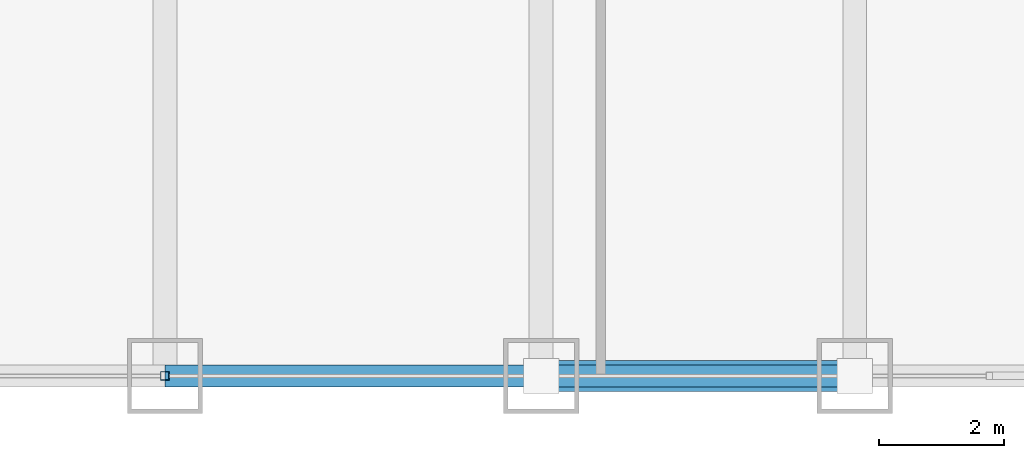
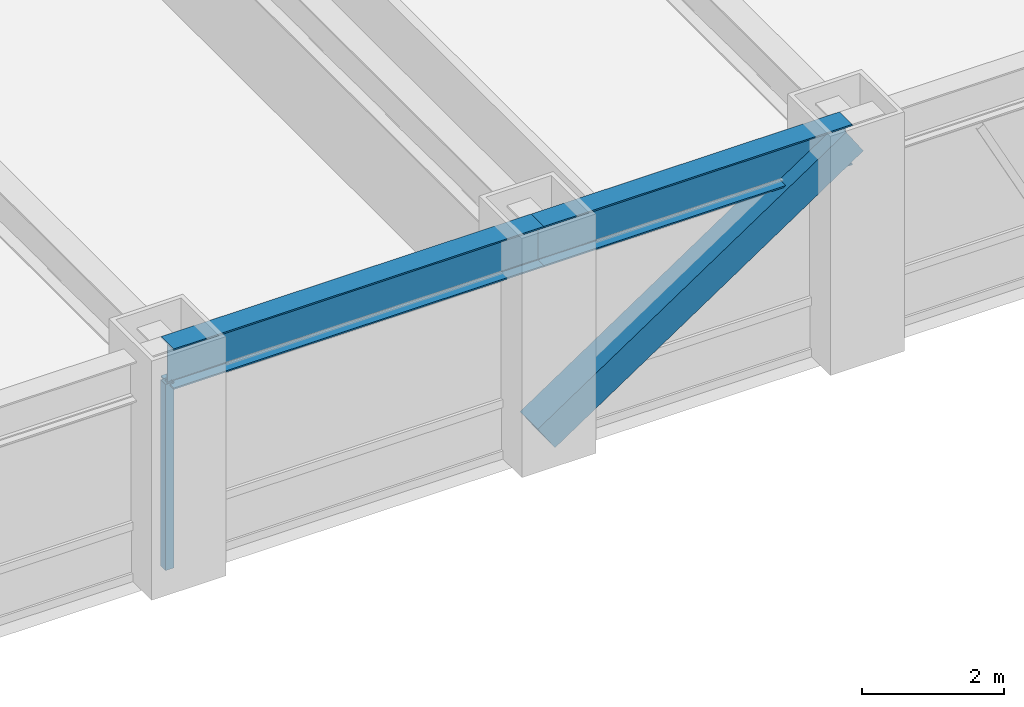
# One storey, part 4 of 27: 2 beams, 2 members, 1 element without a shape of its own.
"""IFC4 building model written with IfcOpenShell, lengths in metres."""

import ifcopenshell
import ifcopenshell.guid

model = None  # the IFC model being written
_history = None  # IfcOwnerHistory: only IFC2X3 demands one
_inside = {}  # id of a spatial element -> (the spatial element, [elements in it])
_under = {}  # id of a project, library or spatial element -> (it, [spatial elements below it])
_declared = {}  # id of a project -> (the project, [libraries it declares])
_typed = {}  # id of a type object -> (the type object, [elements of that type])
_made_of = {}  # id of a material, layer set ... -> (it, [elements and type objects made of it])


def new_model(schema):
    """Start an empty IFC model of exactly this schema.

    Asked for "IFC4X3", IfcOpenShell would pick the latest addendum, in which some entities
    have other attributes; the version numbers below select the first issue.
    IFC2X3 requires an IfcOwnerHistory on every rooted entity: one is made here for all.
    """
    global model, _history
    if schema == "IFC4X3":
        model = ifcopenshell.file(schema_version=(4, 3, 0, 0))
    else:
        model = ifcopenshell.file(schema=schema)
    _inside.clear()
    _under.clear()
    _declared.clear()
    _typed.clear()
    _made_of.clear()
    _history = None
    if model.schema == "IFC2X3":
        org = make("IfcOrganization", Name="unknown")
        user = make(
            "IfcPersonAndOrganization",
            ThePerson=make("IfcPerson", FamilyName="unknown"),
            TheOrganization=org,
        )
        app = make(
            "IfcApplication",
            ApplicationDeveloper=org,
            Version="unknown",
            ApplicationFullName="unknown",
            ApplicationIdentifier="unknown",
        )
        _history = make(
            "IfcOwnerHistory",
            OwningUser=user,
            OwningApplication=app,
            ChangeAction="ADDED",
            CreationDate=0,
        )
    return model


def make(cls, **values):
    """One entity of the class cls with the attributes given. An attribute that is None is left unset."""
    return model.create_entity(
        cls, **{name: value for name, value in values.items() if value is not None}
    )


def rooted(cls, **values):
    """An entity with a GlobalId (a new one), such as an element, a storey or a relation."""
    return make(cls, GlobalId=ifcopenshell.guid.new(), OwnerHistory=_history, **values)


def si_unit(unit_type, name, prefix=None):
    """IfcSIUnit, for example si_unit("LENGTHUNIT", "METRE", prefix="MILLI")."""
    return make("IfcSIUnit", UnitType=unit_type, Prefix=prefix, Name=name)


def assignment(units):
    """IfcUnitAssignment: the units of a project."""
    return None if units is None else make("IfcUnitAssignment", Units=units)


def point(xyz):
    """IfcCartesianPoint."""
    return None if xyz is None else make("IfcCartesianPoint", Coordinates=xyz)


def direction(xyz):
    """IfcDirection."""
    return None if xyz is None else make("IfcDirection", DirectionRatios=xyz)


def frame(location, z_axis=None, x_axis=None):
    """IfcAxis2Placement3D, a coordinate frame: its origin and axes. An axis left out is left unset."""
    return make(
        "IfcAxis2Placement3D",
        Location=point(location),
        Axis=direction(z_axis),
        RefDirection=direction(x_axis),
    )


def frame_2d(location, x_axis=None):
    """IfcAxis2Placement2D, a coordinate frame in the plane: its origin and x axis."""
    return make(
        "IfcAxis2Placement2D", Location=point(location), RefDirection=direction(x_axis)
    )


def origin():
    """The frame at (0, 0, 0) with its axes left unset."""
    return frame((0.0, 0.0, 0.0))


def origin_2d():
    """The frame at (0, 0) in the plane with its x axis left unset."""
    return frame_2d((0.0, 0.0))


def place(relative_to, where):
    """IfcLocalPlacement: puts the frame where relative to a parent placement (None: the world)."""
    return make(
        "IfcLocalPlacement", PlacementRelTo=relative_to, RelativePlacement=where
    )


def context(
    kind, dimensions, precision=None, world=None, true_north=None, identifier=None
):
    """IfcGeometricRepresentationContext, for example the 3D "Model" context."""
    return make(
        "IfcGeometricRepresentationContext",
        ContextIdentifier=identifier,
        ContextType=kind,
        CoordinateSpaceDimension=dimensions,
        Precision=precision,
        WorldCoordinateSystem=world,
        TrueNorth=true_north,
    )


def subcontext(parent, identifier, kind, view, scale=None):
    """IfcGeometricRepresentationSubContext, for example "Body" below "Model"."""
    return make(
        "IfcGeometricRepresentationSubContext",
        ContextIdentifier=identifier,
        ContextType=kind,
        ParentContext=parent,
        TargetScale=scale,
        TargetView=view,
    )


def project(units=None, contexts=None):
    """IfcProject with its units and contexts."""
    return rooted(
        "IfcProject",
        Name="project",
        RepresentationContexts=contexts,
        UnitsInContext=assignment(units),
    )


def spatial(cls, under=None, at=None, **own):
    """A site, building, storey or space (cls), placed at a placement, below another one or the project."""
    s = rooted(cls, ObjectPlacement=at, **own)
    if under is not None:
        _under.setdefault(under.id(), (under, []))[1].append(s)
    return s


def profile(cls, at=None, kind="AREA", **sizes):
    """A parametric profile (cls). Its sizes go by their IFC names, for example OverallWidth=200.0."""
    return make(cls, ProfileType=kind, Position=at, **sizes)


def hollow_rectangle(**sizes):
    """IfcRectangleHollowProfileDef."""
    return profile("IfcRectangleHollowProfileDef", **sizes)


def i_section(**sizes):
    """IfcIShapeProfileDef."""
    return profile("IfcIShapeProfileDef", **sizes)


def extrude(swept, where, along, depth):
    """IfcExtrudedAreaSolid: the profile swept, set in the frame where, extruded along a direction by depth."""
    return make(
        "IfcExtrudedAreaSolid",
        SweptArea=swept,
        Position=where,
        ExtrudedDirection=direction(along),
        Depth=depth,
    )


def shape(context_of_items, identifier, shape_type, items):
    """IfcShapeRepresentation: the items that make up one representation, for example the "Body"."""
    return make(
        "IfcShapeRepresentation",
        ContextOfItems=context_of_items,
        RepresentationIdentifier=identifier,
        RepresentationType=shape_type,
        Items=items,
    )


def source(mapping_origin, context_of_items, identifier, shape_type, items):
    """IfcRepresentationMap: a shape defined once, which mapped items show again and again."""
    return make(
        "IfcRepresentationMap",
        MappingOrigin=mapping_origin,
        MappedRepresentation=shape(context_of_items, identifier, shape_type, items),
    )


def transform(
    local_origin,
    x_axis=None,
    y_axis=None,
    z_axis=None,
    scale=None,
    scale2=None,
    scale3=None,
    uniform=True,
):
    """IfcCartesianTransformationOperator3D, or its non-uniform kind. x_axis, y_axis, z_axis: its Axis1, 2, 3."""
    if uniform:
        return make(
            "IfcCartesianTransformationOperator3D",
            Axis1=direction(x_axis),
            Axis2=direction(y_axis),
            LocalOrigin=point(local_origin),
            Scale=scale,
            Axis3=direction(z_axis),
        )
    return make(
        "IfcCartesianTransformationOperator3DnonUniform",
        Axis1=direction(x_axis),
        Axis2=direction(y_axis),
        LocalOrigin=point(local_origin),
        Scale=scale,
        Axis3=direction(z_axis),
        Scale2=scale2,
        Scale3=scale3,
    )


def mapped(mapping_source, mapping_target):
    """IfcMappedItem: shows the shape of a source again, moved by a transform."""
    return make(
        "IfcMappedItem", MappingSource=mapping_source, MappingTarget=mapping_target
    )


def material(Name=None, Category=None):
    """IfcMaterial."""
    return make("IfcMaterial", Name=Name, Category=Category)


def material_profile(
    of_material, cross_section, Name=None, Category=None, Priority=None
):
    """IfcMaterialProfile: a cross section and its material."""
    return make(
        "IfcMaterialProfile",
        Name=Name,
        Material=of_material,
        Profile=cross_section,
        Priority=Priority,
        Category=Category,
    )


def profile_set(profiles, Name=None, composite=None):
    """IfcMaterialProfileSet."""
    return make(
        "IfcMaterialProfileSet",
        Name=Name,
        MaterialProfiles=profiles,
        CompositeProfile=composite,
    )


def made_of(thing, what):
    """Note that an element or type object is made of a material, layer set ...; save() writes the relation."""
    if what is not None:
        _made_of.setdefault(what.id(), (what, []))[1].append(thing)
    return thing


def type_object(cls, material=None, **own):
    """A type object (cls), such as IfcWallType, which elements share."""
    return made_of(rooted(cls, **own), material)


def element(
    cls,
    number,
    at=None,
    inside=None,
    cuts=None,
    type_object=None,
    material=None,
    context=None,
    identifier="Body",
    shape_type=None,
    held_by="IfcProductDefinitionShape",
    body=None,
    shapes=None,
    **own,
):
    """One element of the class cls, such as IfcWall. Its Tag is "e" and its number.

    at: its placement. inside: the storey or other place that contains it. cuts: it is an
    opening in that element (IfcRelVoidsElement). A single representation is given by context,
    identifier, shape_type and body (its items); several are given by shapes. held_by: the class
    of the entity that holds the representations. save() writes the other relations.
    """
    e = rooted(cls, Tag="e%d" % number, ObjectPlacement=at, **own)
    if body is not None:
        shapes = [shape(context, identifier, shape_type, body)]
    if shapes is not None:
        e.Representation = make(held_by, Representations=shapes)
    if inside is not None:
        _inside.setdefault(inside.id(), (inside, []))[1].append(e)
    if cuts is not None:
        rooted(
            "IfcRelVoidsElement", RelatingBuildingElement=cuts, RelatedOpeningElement=e
        )
    if type_object is not None:
        _typed.setdefault(type_object.id(), (type_object, []))[1].append(e)
    return made_of(e, material)


def aggregate(whole, parts):
    """IfcRelAggregates: a whole, such as a stair, and the parts it consists of."""
    return rooted("IfcRelAggregates", RelatingObject=whole, RelatedObjects=parts)


def save(model, path):
    """Write the relations noted so far, then the file.

    IfcRelAggregates (storeys below a building ...), IfcRelContainedInSpatialStructure (elements
    in a storey), IfcRelDefinesByType, IfcRelAssociatesMaterial and IfcRelDeclares: one each for
    every whole, place, type object, material and project.
    """
    for whole, parts in _under.values():
        aggregate(whole, parts)
    for where, things in _inside.values():
        rooted(
            "IfcRelContainedInSpatialStructure",
            RelatedElements=things,
            RelatingStructure=where,
        )
    for kind, things in _typed.values():
        rooted("IfcRelDefinesByType", RelatedObjects=things, RelatingType=kind)
    for what, things in _made_of.values():
        rooted("IfcRelAssociatesMaterial", RelatedObjects=things, RelatingMaterial=what)
    for by, libraries in _declared.values():
        rooted("IfcRelDeclares", RelatingContext=by, RelatedDefinitions=libraries)
    model.write(path)


model = new_model("IFC4")

# Units and contexts
model_context = context("Model", 3, precision=1e-05, world=origin(), true_north=direction((0.0, 1.0)))
body_context = subcontext(model_context, "Body", "Model", "MODEL_VIEW")
ifc_project = project(units=[si_unit("LENGTHUNIT", "METRE"), si_unit("AREAUNIT", "SQUARE_METRE"), si_unit("VOLUMEUNIT", "CUBIC_METRE"), si_unit("PLANEANGLEUNIT", "RADIAN"), si_unit("MASSUNIT", "GRAM", prefix="KILO")], contexts=[model_context])

# Site, building, storey
site_placement = place(None, origin())
site = spatial("IfcSite", under=ifc_project, at=site_placement, CompositionType="ELEMENT")
building_placement = place(site_placement, origin())
building = spatial("IfcBuilding", under=site, at=building_placement, Name="Khorayat Bourse Tower", CompositionType="ELEMENT")
storey_placement = place(building_placement, frame((0.0, 0.0, 111.89990234375)))
storey = spatial("IfcBuildingStorey", under=building, at=storey_placement, Name="L25", CompositionType="ELEMENT", Elevation=111.89990234375)

# Beams
ifc_material_1 = material(Name="Steel ASTM A992 Grade 50", Category="steel")
ifc_material_profile_1 = material_profile(ifc_material_1, i_section(OverallWidth=0.35498046875, OverallDepth=0.695068359375, WebThickness=0.015380859375, FlangeThickness=0.02490234375, FilletRadius=0.01806640625, at=origin_2d()), Name="W690X217")
ifc_profile_set_1 = profile_set([ifc_material_profile_1], Name="Steel ASTM A992 Grade 50")
beam_type = type_object("IfcBeamType", Name="BM-SPAN-690", PredefinedType="SPANDREL", material=ifc_profile_set_1)
shared_shape_1 = source(origin(), body_context, "Body", "SweptSolid", [
    extrude(i_section(OverallWidth=0.35498046875, OverallDepth=0.695068359375, WebThickness=0.015380859375, FlangeThickness=0.02490234375, FilletRadius=0.01806640625, at=origin_2d()), origin(), (0.0, 0.0, 1.0), 5.0),
])
beam_1_placement = place(storey_placement, frame((6.0, -32.0, 3.49267578125), z_axis=(1.0, 0.0, 0.0), x_axis=(0.0, 1.0, 0.0)))
element("IfcBeam", 1, at=beam_1_placement, inside=storey, type_object=beam_type, Name="L25 BM-SPAN-690 BM-L25-SPN-029", PredefinedType="SPANDREL", context=body_context, shape_type="MappedRepresentation", body=[
    mapped(shared_shape_1, transform((0.0, 0.0, 0.0), scale=1.0)),
])
shared_shape_2 = source(origin(), body_context, "Body", "SweptSolid", [
    extrude(i_section(OverallWidth=0.35498046875, OverallDepth=0.695068359375, WebThickness=0.015380859375, FlangeThickness=0.02490234375, FilletRadius=0.01806640625, at=origin_2d()), origin(), (0.0, 0.0, 1.0), 6.0),
])
beam_2_placement = place(storey_placement, frame((0.0, -32.0, 3.49267578125), z_axis=(1.0, 0.0, 0.0), x_axis=(0.0, 1.0, 0.0)))
element("IfcBeam", 2, at=beam_2_placement, inside=storey, type_object=beam_type, Name="L25 BM-SPAN-690 BM-L25-SPN-028", PredefinedType="SPANDREL", context=body_context, shape_type="MappedRepresentation", body=[
    mapped(shared_shape_2, transform((0.0, 0.0, 0.0), scale=1.0)),
])

# Member
ifc_material_2 = material(Name="Steel EN 10025-4 S460M", Category="steel")
ifc_material_profile_2 = material_profile(ifc_material_2, hollow_rectangle(XDim=0.5, YDim=0.5, WallThickness=0.028076171875, at=origin_2d()), Name="HSS 500x500x28")
ifc_profile_set_2 = profile_set([ifc_material_profile_2], Name="Steel EN 10025-4 S460M")
member_type_1 = type_object("IfcMemberType", Name="MBR-TUBE-500", PredefinedType="BRACE", material=ifc_profile_set_2)
shared_shape_3 = source(origin(), body_context, "Body", "SweptSolid", [
    extrude(hollow_rectangle(XDim=0.5, YDim=0.5, WallThickness=0.028076171875, at=origin_2d()), origin(), (0.0, 0.0, 1.0), 6.012939453125),
])
member_1_placement = place(storey_placement, frame((6.0, -32.0, 0.25), z_axis=(0.831531473026, 0.0, 0.555477640745), x_axis=(0.0, 1.0, 0.0)))
element("IfcMember", 3, at=member_1_placement, inside=storey, type_object=member_type_1, Name="L25 Perimeter Tube Brace 02", PredefinedType="BRACE", context=body_context, shape_type="MappedRepresentation", body=[
    mapped(shared_shape_3, transform((0.0, 0.0, 0.0), scale=1.0)),
])

# Curtain wall, member
ifc_material_3 = material(Name="Aluminium EN AW-6063 T6", Category="aluminium")
curtain_wall_type = type_object("IfcCurtainWallType", Name="CW-SYS-02", PredefinedType="NOTDEFINED", material=ifc_material_3)
curtain_wall_placement = place(storey_placement, origin())
curtain_wall = element("IfcCurtainWall", 4, at=curtain_wall_placement, inside=storey, type_object=curtain_wall_type, Name="L25 Curtain Wall CW-L25-S1", PredefinedType="NOTDEFINED")
ifc_material_profile_3 = material_profile(ifc_material_3, hollow_rectangle(XDim=0.139892578125, YDim=0.139892578125, WallThickness=0.006103515625, at=origin_2d()), Name="ALU 140x140x6")
ifc_profile_set_3 = profile_set([ifc_material_profile_3], Name="Aluminium EN AW-6063 T6")
member_type_2 = type_object("IfcMemberType", Name="CWM-VERT-140", PredefinedType="MULLION", material=ifc_profile_set_3)
shared_shape_4 = source(origin(), body_context, "Body", "SweptSolid", [
    extrude(hollow_rectangle(XDim=0.139892578125, YDim=0.139892578125, WallThickness=0.006103515625, at=origin_2d()), origin(), (0.0, 0.0, 1.0), 3.190185546875),
])
member_2_placement = place(storey_placement, frame((0.0, -32.0, 0.0), z_axis=(0.0, 0.0, 1.0), x_axis=(0.0, 1.0, 0.0)))
member_2 = element("IfcMember", 5, at=member_2_placement, type_object=member_type_2, Name="CW-L25-S1 Vertical Mullion 2", PredefinedType="MULLION", context=body_context, shape_type="MappedRepresentation", body=[
    mapped(shared_shape_4, transform((0.0, 0.0, 0.0), scale=1.0)),
])
aggregate(curtain_wall, [member_2])

save(model, "model.ifc")
